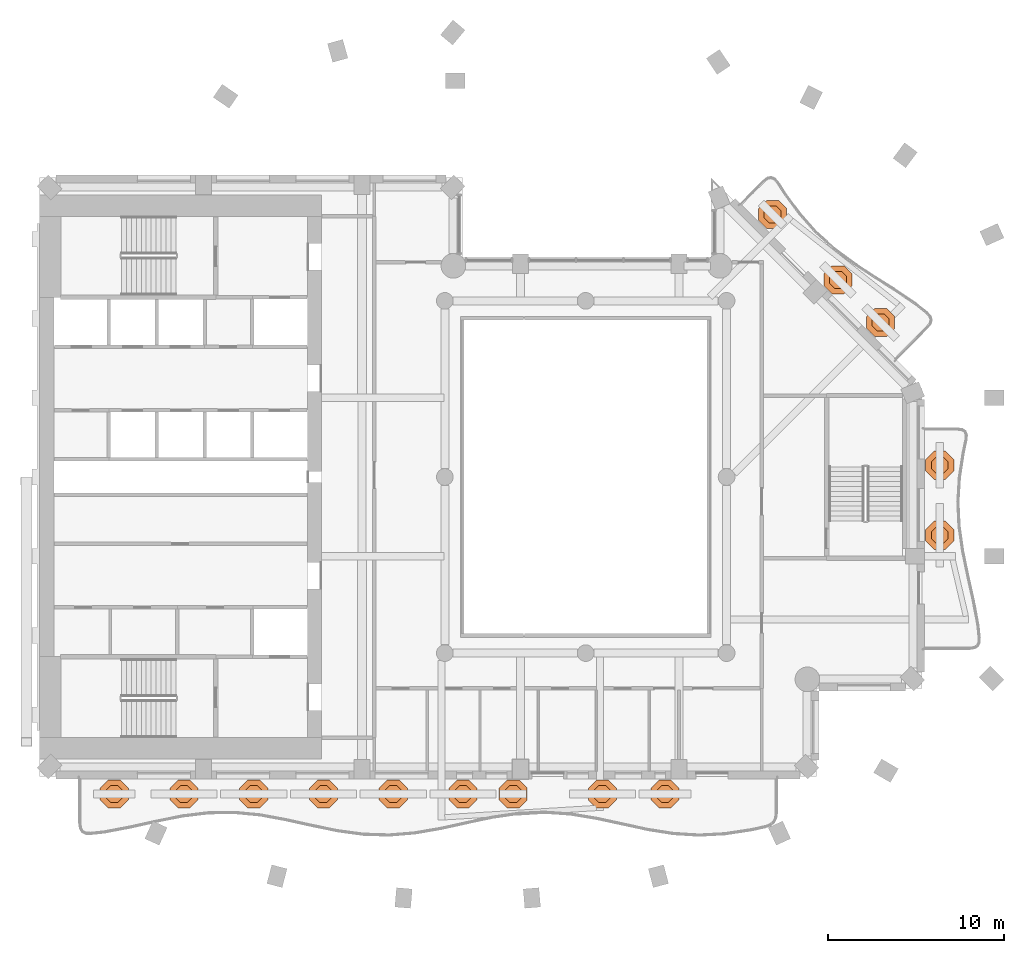
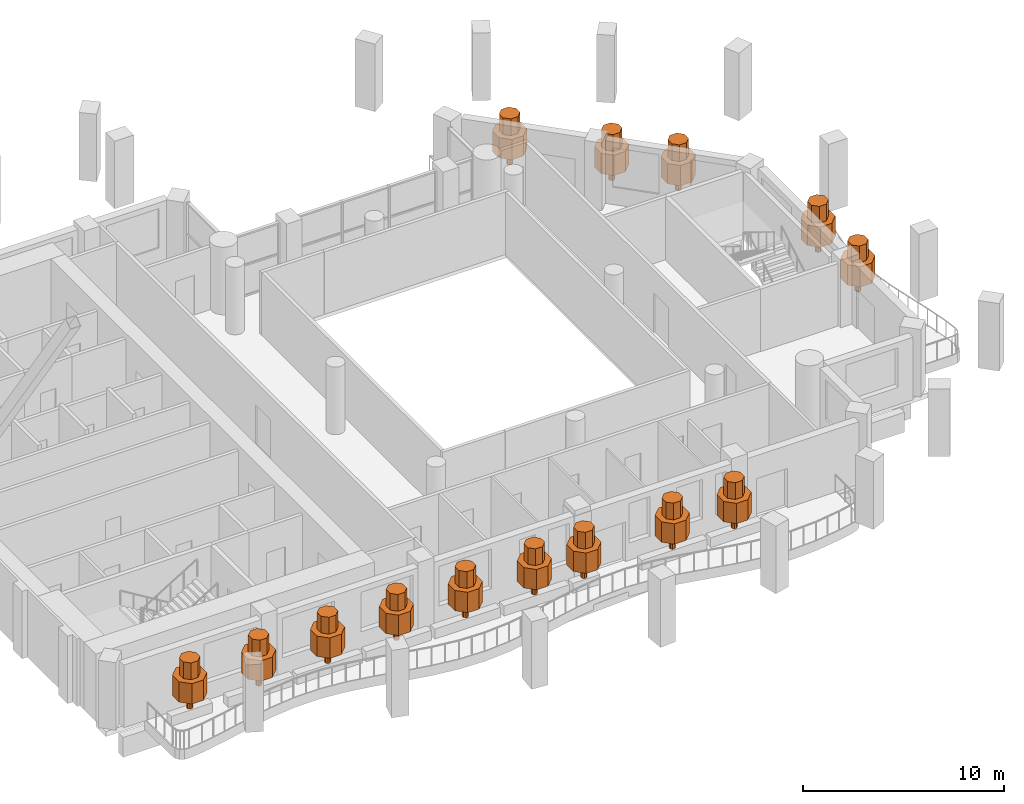
# One storey, part 16 of 16: 14 geographic elements.
"""IFC4 building model written with IfcOpenShell, lengths in metres."""

from ifc_helpers import new_model, si_unit, direction, frame, origin, place, context, subcontext, project, spatial, polyline, outline, extrude, material, type_object, element, save


model = new_model("IFC4")

# Units and contexts
model_context = context("Model", 3, precision=1e-05, world=origin(), true_north=direction((0.0, 1.0)))
body_context = subcontext(model_context, "Body", "Model", "MODEL_VIEW")
ifc_project = project(units=[si_unit("LENGTHUNIT", "METRE"), si_unit("AREAUNIT", "SQUARE_METRE"), si_unit("VOLUMEUNIT", "CUBIC_METRE"), si_unit("PLANEANGLEUNIT", "RADIAN"), si_unit("MASSUNIT", "GRAM", prefix="KILO")], contexts=[model_context])

# Site, building, storey
site_placement = place(None, origin())
site = spatial("IfcSite", under=ifc_project, at=site_placement, CompositionType="ELEMENT")
building_placement = place(site_placement, origin())
building = spatial("IfcBuilding", under=site, at=building_placement, Name="Cypress Arch Tower", CompositionType="ELEMENT")
storey_placement = place(building_placement, frame((0.0, 0.0, 172.800048828125)))
storey = spatial("IfcBuildingStorey", under=building, at=storey_placement, Name="L37", CompositionType="ELEMENT", Elevation=172.800048828125)

# Geographic elements
ifc_material = material(Name="Foliage and planting")
geographic_element_type = type_object("IfcGeographicElementType", Name="Balcony tree TR", PredefinedType="USERDEFINED", material=ifc_material)
for number, where, z_axis, x_axis, name in (
    (1, (-25.77001953125, -18.0, 0.599853515625), (0.0, 0.0, 1.0), (1.0, 0.0, 0.0), "Balcony tree L37-B01.1"),
    (2, (-21.81005859375, -18.0, 0.599853515625), (0.0, 0.0, 1.0), (1.0, 0.0, 0.0), "Balcony tree L37-B01.2"),
    (3, (-17.85009765625, -18.0, 0.599853515625), (0.0, 0.0, 1.0), (1.0, 0.0, 0.0), "Balcony tree L37-B01.3"),
    (4, (-13.889892578125, -18.0, 0.599853515625), (0.0, 0.0, 1.0), (1.0, 0.0, 0.0), "Balcony tree L37-B01.4"),
    (5, (-9.929931640625, -18.0, 0.599853515625), (0.0, 0.0, 1.0), (1.0, 0.0, 0.0), "Balcony tree L37-B01.5"),
    (6, (-5.969970703125, -18.0, 0.599853515625), (0.0, 0.0, 1.0), (1.0, 0.0, 0.0), "Balcony tree L37-B01.6"),
    (7, (-3.1201171875, -18.0, 0.599853515625), (0.0, 0.0, 1.0), (1.0, 0.0, 0.0), "Balcony tree L37-B01.7"),
    (8, (1.949951171875, -18.0, 0.599853515625), (0.0, 0.0, 1.0), (1.0, 0.0, 0.0), "Balcony tree L37-B01.8"),
    (9, (5.50244140625, -18.0, 0.599853515625), (0.0, 0.0, 1.0), (1.0, 0.0, 0.0), "Balcony tree L37-B01.9"),
    (10, (21.10009765625, -3.308349609375, 0.599853515625), (0.0, 0.0, 1.0), (1.0, 0.0, 0.0), "Balcony tree L37-B04.1"),
    (11, (21.10009765625, 0.666748046875, 0.599853515625), (0.0, 0.0, 1.0), (1.0, 0.0, 0.0), "Balcony tree L37-B04.2"),
    (12, (17.746337890625, 8.767822265625, 0.599853515625), (0.0, 0.0, 1.0), (1.0, 0.0, 0.0), "Balcony tree L37-B05.1"),
    (13, (15.324462890625, 11.189697265625, 0.599853515625), (0.0, 0.0, 1.0), (1.0, 0.0, 0.0), "Balcony tree L37-B05.2"),
    (14, (11.607177734375, 14.906982421875, 0.599853515625), (0.0, 0.0, 1.0), (1.0, 0.0, 0.0), "Balcony tree L37-B05.3"),
):
    element("IfcGeographicElement", number, at=place(storey_placement, frame(where, z_axis=z_axis, x_axis=x_axis)), inside=storey, type_object=geographic_element_type, Name=name, ObjectType="TREE", PredefinedType="USERDEFINED", context=body_context, shape_type="SweptSolid", body=[
        extrude(outline(polyline([(0.14990234375, 0.06201171875), (0.06201171875, 0.14990234375), (-0.06201171875, 0.14990234375), (-0.14990234375, 0.06201171875), (-0.14990234375, -0.06201171875), (-0.06201171875, -0.14990234375), (0.06201171875, -0.14990234375), (0.14990234375, -0.06201171875), (0.14990234375, 0.06201171875)])), origin(), (0.0, 0.0, 1.0), 0.89990234375),
        extrude(outline(polyline([(0.800048828125, 0.331298828125), (0.331298828125, 0.800048828125), (-0.331298828125, 0.800048828125), (-0.800048828125, 0.331298828125), (-0.800048828125, -0.331298828125), (-0.331298828125, -0.800048828125), (0.331298828125, -0.800048828125), (0.800048828125, -0.331298828125), (0.800048828125, 0.331298828125)])), frame((0.0, 0.0, 0.800048828125)), (0.0, 0.0, 1.0), 1.237548828125),
        extrude(outline(polyline([(0.47998046875, 0.19873046875), (0.19873046875, 0.47998046875), (-0.19873046875, 0.47998046875), (-0.47998046875, 0.19873046875), (-0.47998046875, -0.19873046875), (-0.19873046875, -0.47998046875), (0.19873046875, -0.47998046875), (0.47998046875, -0.19873046875), (0.47998046875, 0.19873046875)])), frame((0.0, 0.0, 2.03759765625)), (0.0, 0.0, 1.0), 1.012451171875),
    ])

save(model, "model.ifc")
